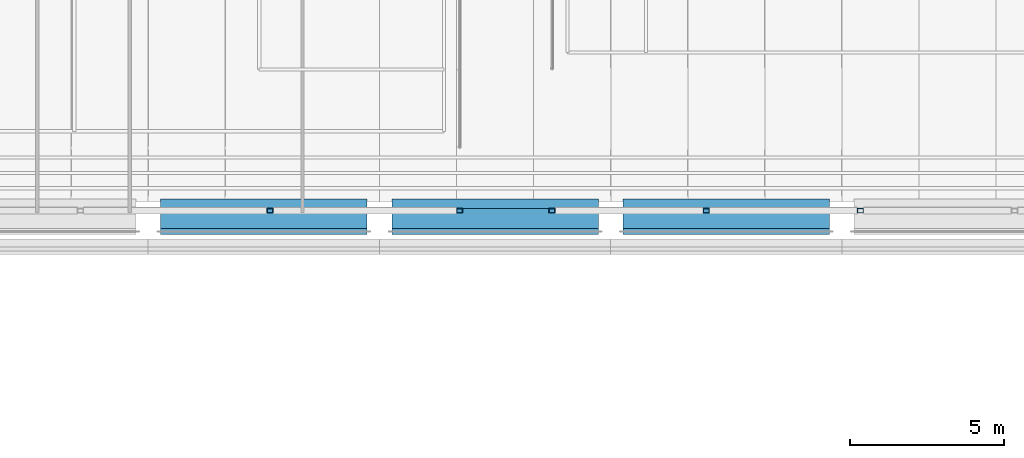
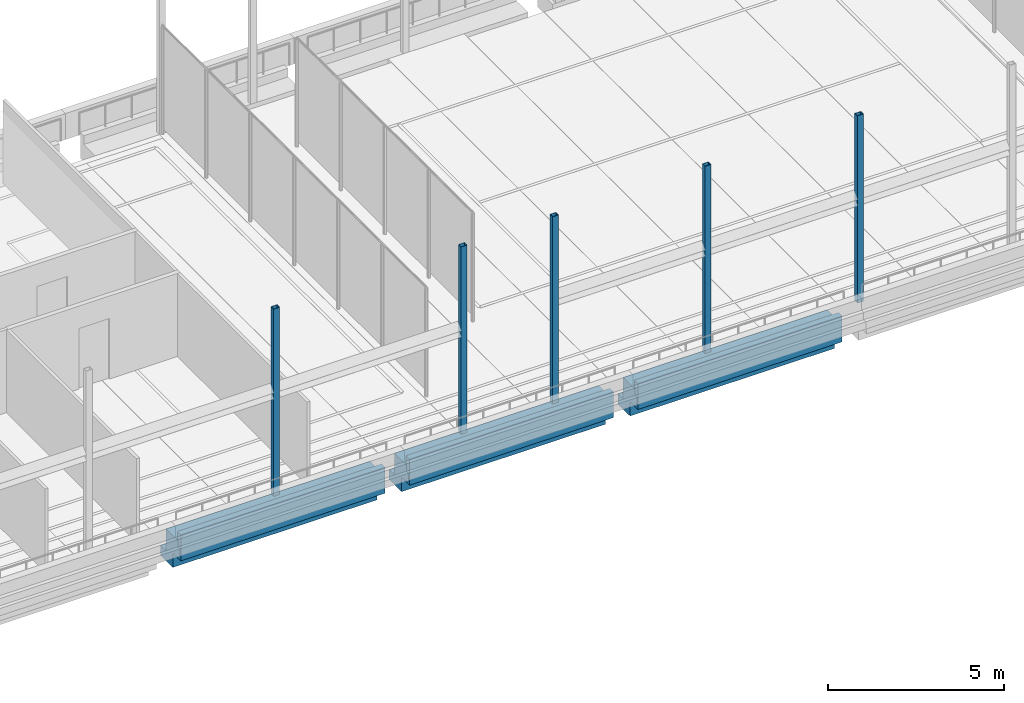
# One storey, part 7 of 62: 5 members, 3 beams.
"""IFC4 building model written with IfcOpenShell, lengths in metres."""

from ifc_helpers import new_model, si_unit, direction, frame, origin, origin_2d, place, context, subcontext, project, spatial, polyline, hollow_rectangle, outline, extrude, material, material_profile, profile_set, type_object, element, save


model = new_model("IFC4")

# Units and contexts
model_context = context("Model", 3, precision=1e-05, world=origin(), true_north=direction((0.0, 1.0)))
body_context = subcontext(model_context, "Body", "Model", "MODEL_VIEW")
ifc_project = project(units=[si_unit("LENGTHUNIT", "METRE"), si_unit("AREAUNIT", "SQUARE_METRE"), si_unit("VOLUMEUNIT", "CUBIC_METRE"), si_unit("PLANEANGLEUNIT", "RADIAN"), si_unit("MASSUNIT", "GRAM", prefix="KILO")], contexts=[model_context])

# Site, building, storey
site_placement = place(None, origin())
site = spatial("IfcSite", under=ifc_project, at=site_placement, CompositionType="ELEMENT")
building_placement = place(site_placement, origin())
building = spatial("IfcBuilding", under=site, at=building_placement, Name="Cour d'Honneur Mobility Palace", CompositionType="ELEMENT")
storey_placement = place(building_placement, frame((0.0, 0.0, 19.300048828125)))
storey = spatial("IfcBuildingStorey", under=building, at=storey_placement, Name="L05", CompositionType="ELEMENT", Elevation=19.300048828125)

# Beams
ifc_material_1 = material(Name="Concrete C45", Category="concrete")
ifc_material_profile_1 = material_profile(ifc_material_1, outline(polyline([(0.5, -1.10009765625), (0.5, -0.75), (0.199951171875, -0.75), (0.199951171875, 0.0), (-0.199951171875, 0.0), (-0.449951171875, 0.0), (-0.449951171875, 0.300048828125), (-0.64990234375, 0.300048828125), (-0.64990234375, -0.60009765625), (-0.199951171875, -0.60009765625), (-0.199951171875, -1.10009765625), (0.5, -1.10009765625)])), Name="Ledger Beam 400x1100 ledge left 350 facade right")
ifc_profile_set_1 = profile_set([ifc_material_profile_1], Name="Concrete C45")
beam_type = type_object("IfcBeamType", Name="Ledger Beam 400x1100 ledge left 350 facade right", PredefinedType="BEAM", material=ifc_profile_set_1)
for number, where, z_axis, x_axis, name in (
    (1, (32.800048828125, 45.0, 0.0), (1.0, 0.0, 0.0), (0.0, 1.0, 0.0), "Precast beam B2 4-5 L05"),
    (2, (40.300048828125, 45.0, 0.0), (1.0, 0.0, 0.0), (0.0, 1.0, 0.0), "Precast beam B2 5-6 L05"),
    (3, (47.800048828125, 45.0, 0.0), (1.0, 0.0, 0.0), (0.0, 1.0, 0.0), "Precast beam B2 6-7 L05"),
):
    element("IfcBeam", number, at=place(storey_placement, frame(where, z_axis=z_axis, x_axis=x_axis)), inside=storey, type_object=beam_type, Name=name, PredefinedType="BEAM", context=body_context, shape_type="SweptSolid", body=[
        extrude(outline(polyline([(0.5, -1.10009765625), (0.5, -0.75), (0.199951171875, -0.75), (0.199951171875, 0.0), (-0.199951171875, 0.0), (-0.449951171875, 0.0), (-0.449951171875, 0.300048828125), (-0.64990234375, 0.300048828125), (-0.64990234375, -0.60009765625), (-0.199951171875, -0.60009765625), (-0.199951171875, -1.10009765625), (0.5, -1.10009765625)])), origin(), (0.0, 0.0, 1.0), 6.699951171875),
    ])

# Members
ifc_material_2 = material(Name="Steel S355", Category="steel")
ifc_material_profile_2 = material_profile(ifc_material_2, hollow_rectangle(XDim=0.14990234375, YDim=0.199951171875, WallThickness=0.008056640625, at=origin_2d()), Name="RHS 200x150x8")
ifc_profile_set_2 = profile_set([ifc_material_profile_2], Name="Steel S355")
member_type = type_object("IfcMemberType", Name="Pergola post RHS 200x150x8", PredefinedType="POST", material=ifc_profile_set_2)
for number, where, z_axis, x_axis, name in (
    (4, (36.35009765625, 45.125, 0.0), (0.0, 0.0, 1.0), (0.0, 1.0, 0.0), "Pergola post FW-S4"),
    (5, (42.5, 45.125, 0.0), (0.0, 0.0, 1.0), (0.0, 1.0, 0.0), "Pergola post FW-S5"),
    (6, (45.5, 45.125, 0.0), (0.0, 0.0, 1.0), (0.0, 1.0, 0.0), "Pergola post PW-S1"),
    (7, (50.5, 45.125, 0.0), (0.0, 0.0, 1.0), (0.0, 1.0, 0.0), "Pergola post PW-S2"),
    (8, (55.5, 45.125, 0.0), (0.0, 0.0, 1.0), (0.0, 1.0, 0.0), "Pergola post PW-S3"),
):
    element("IfcMember", number, at=place(storey_placement, frame(where, z_axis=z_axis, x_axis=x_axis)), inside=storey, type_object=member_type, Name=name, PredefinedType="POST", context=body_context, shape_type="SweptSolid", body=[
        extrude(hollow_rectangle(XDim=0.14990234375, YDim=0.199951171875, WallThickness=0.008056640625, at=origin_2d()), origin(), (0.0, 0.0, 1.0), 6.5),
    ])

save(model, "model.ifc")
